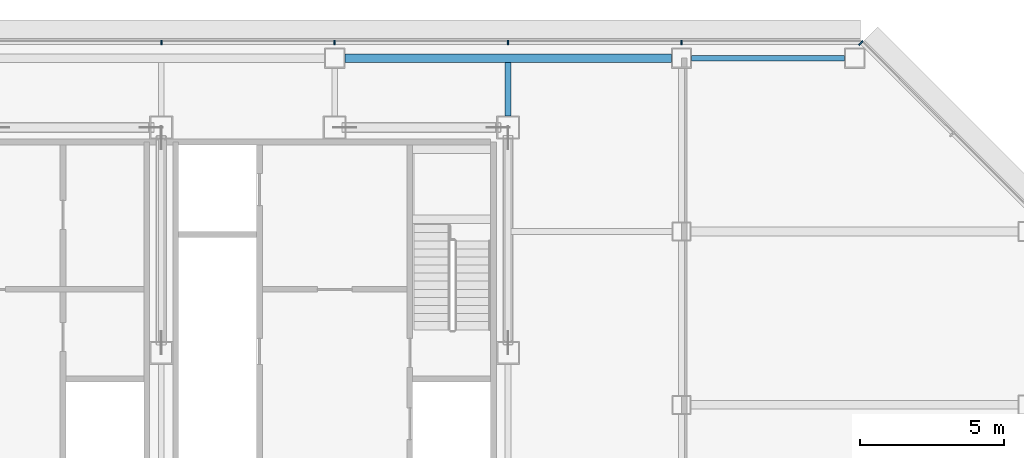
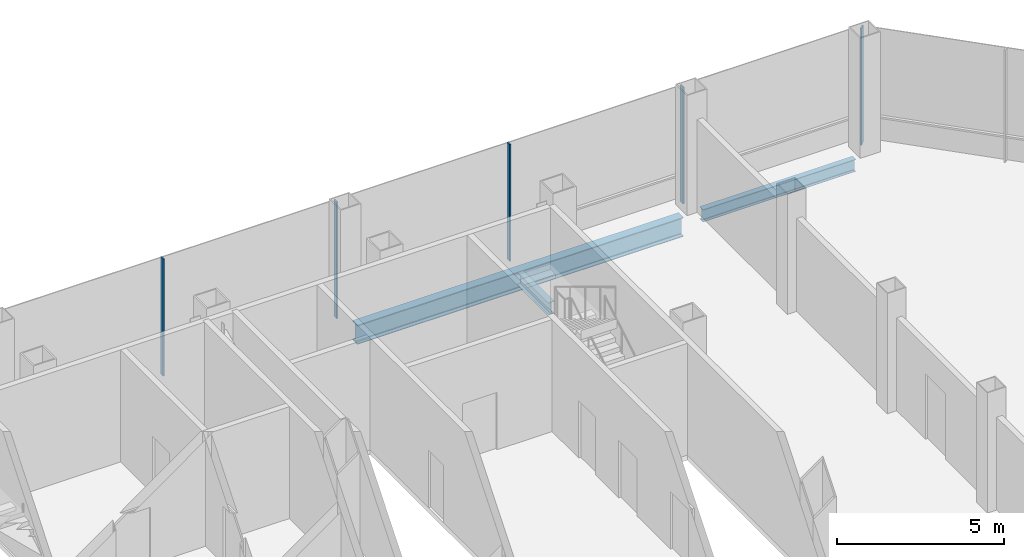
# One storey, part 14 of 26: 5 members, 3 beams, 2 elements without a shape of their own.
"""IFC4 building model written with IfcOpenShell, lengths in metres."""

from ifc_helpers import new_model, si_unit, direction, frame, origin, origin_2d, place, context, subcontext, project, spatial, rectangle, i_section, extrude, material, material_profile, profile_set, type_object, element, aggregate, save


model = new_model("IFC4")

# Units and contexts
model_context = context("Model", 3, precision=1e-05, world=origin(), true_north=direction((0.0, 1.0)))
body_context = subcontext(model_context, "Body", "Model", "MODEL_VIEW")
ifc_project = project(units=[si_unit("LENGTHUNIT", "METRE"), si_unit("AREAUNIT", "SQUARE_METRE"), si_unit("VOLUMEUNIT", "CUBIC_METRE"), si_unit("PLANEANGLEUNIT", "RADIAN"), si_unit("MASSUNIT", "GRAM", prefix="KILO")], contexts=[model_context])

# Site, building, storey
site_placement = place(None, origin())
site = spatial("IfcSite", under=ifc_project, at=site_placement, CompositionType="ELEMENT")
building_placement = place(site_placement, origin())
building = spatial("IfcBuilding", under=site, at=building_placement, Name="Sorahane Residences", CompositionType="ELEMENT")
storey_placement = place(building_placement, frame((0.0, 0.0, 181.60009765625)))
storey = spatial("IfcBuildingStorey", under=building, at=storey_placement, Name="L42", CompositionType="ELEMENT", Elevation=181.60009765625)

# Curtain wall, members
ifc_material_1 = material(Name="Dark low-e glass and black anodised aluminium", Category="aluminium")
curtain_wall_type_1 = type_object("IfcCurtainWallType", Name="Curtain wall CW-1 Typical unitised wall", PredefinedType="NOTDEFINED", material=ifc_material_1)
curtain_wall_1_placement = place(storey_placement, origin())
curtain_wall_1 = element("IfcCurtainWall", 1, at=curtain_wall_1_placement, inside=storey, type_object=curtain_wall_type_1, Name="CW-1 curtain wall L42 N1", PredefinedType="NOTDEFINED")
ifc_material_2 = material(Name="Black anodised aluminium", Category="aluminium")
ifc_material_profile_1 = material_profile(ifc_material_2, rectangle(XDim=0.159912109375, YDim=0.050048828125, at=origin_2d()), Name="Curtain wall mullion CW-1 black anodised aluminium 50x160")
ifc_profile_set_1 = profile_set([ifc_material_profile_1], Name="Black anodised aluminium")
member_type_1 = type_object("IfcMemberType", Name="Curtain wall mullion CW-1 black anodised aluminium 50x160", PredefinedType="MULLION", material=ifc_profile_set_1)
member_1_placement = place(storey_placement, frame((48.0, 48.5400390625, -0.18017578125), z_axis=(0.0, 0.0, 1.0), x_axis=(0.0, 1.0, 0.0)))
member_1 = element("IfcMember", 2, at=member_1_placement, type_object=member_type_1, Name="CW-1 mullion L42 N1.2", PredefinedType="MULLION", context=body_context, shape_type="SweptSolid", body=[
    extrude(rectangle(XDim=0.159912109375, YDim=0.050048828125, at=origin_2d()), origin(), (0.0, 0.0, 1.0), 4.280029296875),
])
member_2_placement = place(storey_placement, frame((42.0, 48.5400390625, -0.18017578125), z_axis=(0.0, 0.0, 1.0), x_axis=(0.0, 1.0, 0.0)))
member_2 = element("IfcMember", 3, at=member_2_placement, type_object=member_type_1, Name="CW-1 mullion L42 N1.3", PredefinedType="MULLION", context=body_context, shape_type="SweptSolid", body=[
    extrude(rectangle(XDim=0.159912109375, YDim=0.050048828125, at=origin_2d()), origin(), (0.0, 0.0, 1.0), 4.280029296875),
])
member_3_placement = place(storey_placement, frame((36.0, 48.5400390625, -0.18017578125), z_axis=(0.0, 0.0, 1.0), x_axis=(0.0, 1.0, 0.0)))
member_3 = element("IfcMember", 4, at=member_3_placement, type_object=member_type_1, Name="CW-1 mullion L42 N1.4", PredefinedType="MULLION", context=body_context, shape_type="SweptSolid", body=[
    extrude(rectangle(XDim=0.159912109375, YDim=0.050048828125, at=origin_2d()), origin(), (0.0, 0.0, 1.0), 4.280029296875),
])
member_4_placement = place(storey_placement, frame((30.0, 48.5400390625, -0.18017578125), z_axis=(0.0, 0.0, 1.0), x_axis=(0.0, 1.0, 0.0)))
member_4 = element("IfcMember", 5, at=member_4_placement, type_object=member_type_1, Name="CW-1 mullion L42 N1.5", PredefinedType="MULLION", context=body_context, shape_type="SweptSolid", body=[
    extrude(rectangle(XDim=0.159912109375, YDim=0.050048828125, at=origin_2d()), origin(), (0.0, 0.0, 1.0), 4.280029296875),
])
aggregate(curtain_wall_1, [member_1, member_2, member_3, member_4])

# Curtain wall, member
ifc_material_3 = material(Name="Dark low-e glass and black anodised aluminium", Category="aluminium")
curtain_wall_type_2 = type_object("IfcCurtainWallType", Name="Curtain wall CW-2 Chamfer unitised wall", PredefinedType="NOTDEFINED", material=ifc_material_3)
curtain_wall_2_placement = place(storey_placement, origin())
curtain_wall_2 = element("IfcCurtainWall", 6, at=curtain_wall_2_placement, inside=storey, type_object=curtain_wall_type_2, Name="CW-2 curtain wall L42 NE1", PredefinedType="NOTDEFINED")
ifc_material_4 = material(Name="Black anodised aluminium", Category="aluminium")
ifc_material_profile_2 = material_profile(ifc_material_4, rectangle(XDim=0.199951171875, YDim=0.050048828125, at=origin_2d()), Name="Curtain wall mullion CW-2 black anodised aluminium 50x200")
ifc_profile_set_2 = profile_set([ifc_material_profile_2], Name="Black anodised aluminium")
member_type_2 = type_object("IfcMemberType", Name="Curtain wall mullion CW-2 black anodised aluminium 50x200", PredefinedType="MULLION", material=ifc_profile_set_2)
member_5_placement = place(storey_placement, frame((54.209716796875, 48.525634765625, -0.18017578125), z_axis=(0.0, 0.0, 1.0), x_axis=(0.707106781187, 0.707106781187, 0.0)))
member_5 = element("IfcMember", 7, at=member_5_placement, type_object=member_type_2, Name="CW-2 mullion L42 NE1.3", PredefinedType="MULLION", context=body_context, shape_type="SweptSolid", body=[
    extrude(rectangle(XDim=0.199951171875, YDim=0.050048828125, at=origin_2d()), origin(), (0.0, 0.0, 1.0), 4.280029296875),
])
aggregate(curtain_wall_2, [member_5])

# Beams
ifc_material_5 = material(Name="Steel Q355B", Category="steel")
ifc_material_profile_3 = material_profile(ifc_material_5, i_section(OverallWidth=0.199951171875, OverallDepth=0.449951171875, WebThickness=0.009033203125, FlangeThickness=0.013916015625, FilletRadius=0.02001953125, at=origin_2d()), Name="HN 450x200x9x14")
ifc_profile_set_3 = profile_set([ifc_material_profile_3], Name="Steel Q355B")
beam_type_1 = type_object("IfcBeamType", Name="Steel floor beam HN 450x200x9x14 Q355B", PredefinedType="BEAM", material=ifc_profile_set_3)
beam_1_placement = place(storey_placement, frame((48.35009765625, 48.0, -0.405029296875), z_axis=(1.0, 0.0, 0.0), x_axis=(0.0, 1.0, 0.0)))
element("IfcBeam", 8, at=beam_1_placement, inside=storey, type_object=beam_type_1, Name="Beam L42 019", PredefinedType="BEAM", context=body_context, shape_type="SweptSolid", body=[
    extrude(i_section(OverallWidth=0.199951171875, OverallDepth=0.449951171875, WebThickness=0.009033203125, FlangeThickness=0.013916015625, FilletRadius=0.02001953125, at=origin_2d()), origin(), (0.0, 0.0, 1.0), 5.2998046875),
])
beam_2_placement = place(storey_placement, frame((42.0, 46.0, -0.405029296875), z_axis=(0.0, 1.0, 0.0), x_axis=(-1.0, 0.0, 0.0)))
element("IfcBeam", 9, at=beam_2_placement, inside=storey, type_object=beam_type_1, Name="Beam L42 057", PredefinedType="BEAM", context=body_context, shape_type="SweptSolid", body=[
    extrude(i_section(OverallWidth=0.199951171875, OverallDepth=0.449951171875, WebThickness=0.009033203125, FlangeThickness=0.013916015625, FilletRadius=0.02001953125, at=origin_2d()), origin(), (0.0, 0.0, 1.0), 1.85009765625),
])
ifc_material_6 = material(Name="Steel Q355B", Category="steel")
ifc_material_profile_4 = material_profile(ifc_material_6, i_section(OverallWidth=0.300048828125, OverallDepth=0.699951171875, WebThickness=0.012939453125, FlangeThickness=0.02392578125, FilletRadius=0.028076171875, at=origin_2d()), Name="HN 700x300x13x24")
ifc_profile_set_4 = profile_set([ifc_material_profile_4], Name="Steel Q355B")
beam_type_2 = type_object("IfcBeamType", Name="Steel floor beam HN 700x300x13x24 Q355B", PredefinedType="BEAM", material=ifc_profile_set_4)
beam_3_placement = place(storey_placement, frame((36.35009765625, 48.0, -0.530029296875), z_axis=(1.0, 0.0, 0.0), x_axis=(0.0, 1.0, 0.0)))
element("IfcBeam", 10, at=beam_3_placement, inside=storey, type_object=beam_type_2, Name="Beam L42 018", PredefinedType="BEAM", context=body_context, shape_type="SweptSolid", body=[
    extrude(i_section(OverallWidth=0.300048828125, OverallDepth=0.699951171875, WebThickness=0.012939453125, FlangeThickness=0.02392578125, FilletRadius=0.028076171875, at=origin_2d()), origin(), (0.0, 0.0, 1.0), 11.2998046875),
])

save(model, "model.ifc")
